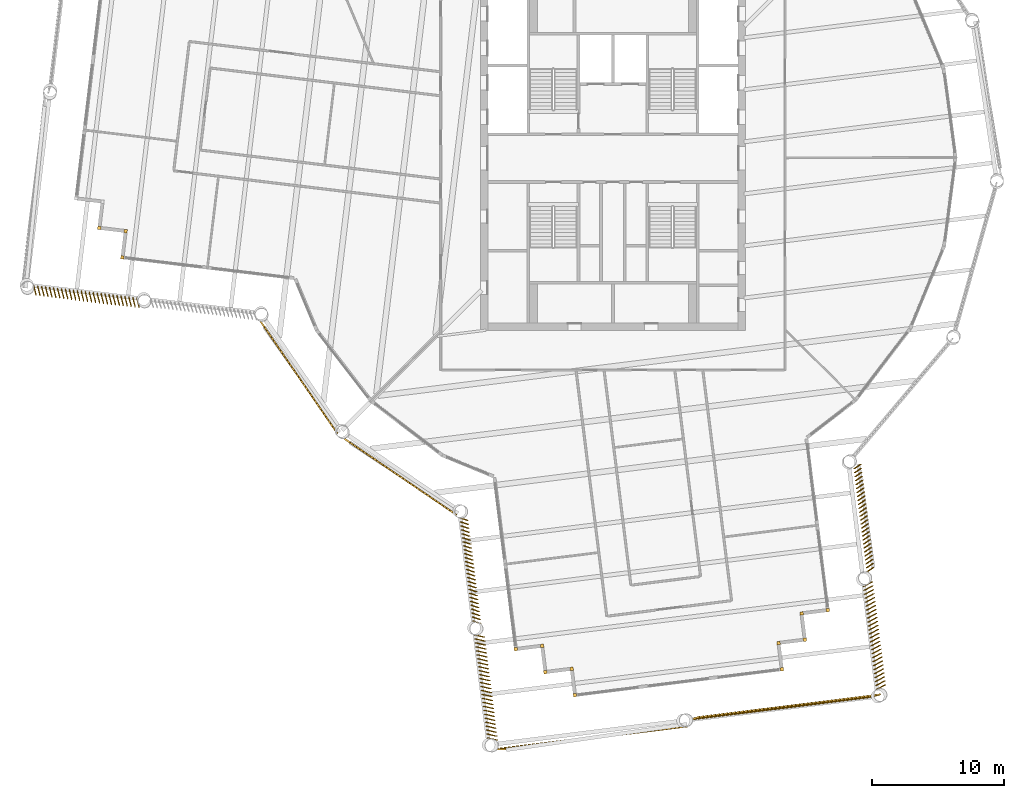
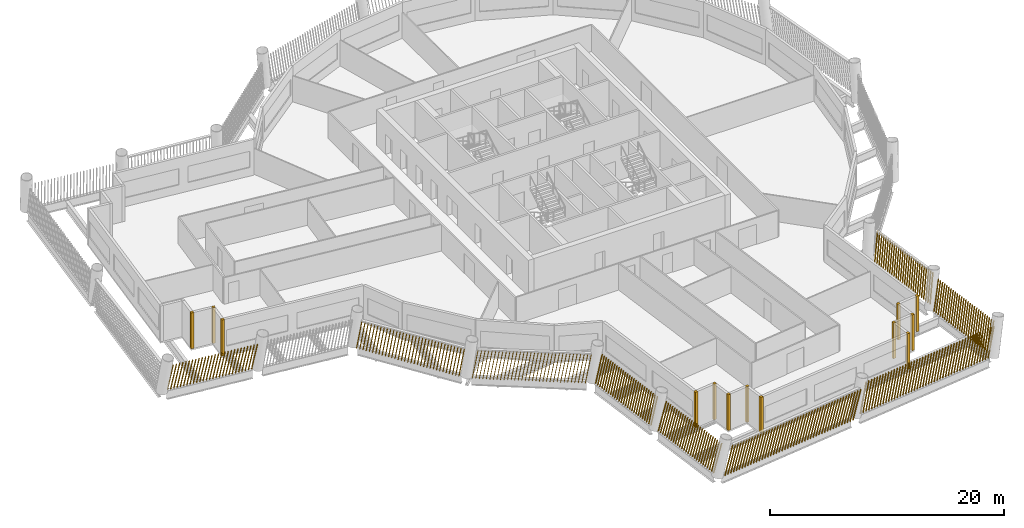
# One storey, part 10 of 14: 22 shading devices.
"""IFC4 building model written with IfcOpenShell, lengths in metres."""

from ifc_helpers import new_model, si_unit, direction, frame, frame_2d, origin, origin_2d, place, context, subcontext, project, spatial, rectangle, composite_profile, extrude, material, type_object, element, save


model = new_model("IFC4")

# Units and contexts
model_context = context("Model", 3, precision=1e-05, world=origin(), true_north=direction((0.0, 1.0)))
body_context = subcontext(model_context, "Body", "Model", "MODEL_VIEW")
ifc_project = project(units=[si_unit("LENGTHUNIT", "METRE"), si_unit("AREAUNIT", "SQUARE_METRE"), si_unit("VOLUMEUNIT", "CUBIC_METRE"), si_unit("PLANEANGLEUNIT", "RADIAN"), si_unit("MASSUNIT", "GRAM", prefix="KILO")], contexts=[model_context])

# Site, building, storey
site_placement = place(None, origin())
site = spatial("IfcSite", under=ifc_project, at=site_placement, CompositionType="ELEMENT")
building_placement = place(site_placement, origin())
building = spatial("IfcBuilding", under=site, at=building_placement, Name="Tarsis Ring Headquarters", CompositionType="ELEMENT")
storey_placement = place(building_placement, frame((0.0, 0.0, 259.10009765625)))
storey = spatial("IfcBuildingStorey", under=building, at=storey_placement, Name="L60", CompositionType="ELEMENT", Elevation=259.10009765625)

# Shading devices
ifc_material = material(Name="Terracotta baguette", Category="masonry")
shading_device_type_1 = type_object("IfcShadingDeviceType", Name="Terracotta baguette screen", PredefinedType="USERDEFINED", material=ifc_material)
shading_device_1_placement = place(storey_placement, frame((-20.29443359375, -21.174560546875, 0.0), z_axis=(0.0, 0.0, 1.0), x_axis=(0.827128722766, -0.562012792325, 0.0)))
element("IfcShadingDevice", 1, at=shading_device_1_placement, inside=storey, type_object=shading_device_type_1, Name="Baguette screen L60-00", ObjectType="Terracotta baguette screen", PredefinedType="USERDEFINED", context=body_context, shape_type="SweptSolid", body=[
    extrude(composite_profile([rectangle(XDim=0.06005859375, YDim=0.1201171875, at=frame_2d((0.030029296875, 0.0))), rectangle(XDim=0.06005859375, YDim=0.1201171875, at=frame_2d((0.33349609375, 0.0))), rectangle(XDim=0.06005859375, YDim=0.1201171875, at=frame_2d((0.636962890625, 0.0))), rectangle(XDim=0.06005859375, YDim=0.1201171875, at=frame_2d((0.9404296875, 0.0))), rectangle(XDim=0.06005859375, YDim=0.1201171875, at=frame_2d((1.243896484375, 0.0))), rectangle(XDim=0.06005859375, YDim=0.1201171875, at=frame_2d((1.54736328125, 0.0))), rectangle(XDim=0.06005859375, YDim=0.1201171875, at=frame_2d((1.850830078125, 0.0))), rectangle(XDim=0.06005859375, YDim=0.1201171875, at=frame_2d((2.154296875, 0.0))), rectangle(XDim=0.06005859375, YDim=0.1201171875, at=frame_2d((2.4580078125, 0.0))), rectangle(XDim=0.06005859375, YDim=0.1201171875, at=frame_2d((2.761474609375, 0.0))), rectangle(XDim=0.06005859375, YDim=0.1201171875, at=frame_2d((3.06494140625, 0.0))), rectangle(XDim=0.06005859375, YDim=0.1201171875, at=frame_2d((3.368408203125, 0.0))), rectangle(XDim=0.06005859375, YDim=0.1201171875, at=frame_2d((3.671875, 0.0))), rectangle(XDim=0.06005859375, YDim=0.1201171875, at=frame_2d((3.975341796875, 0.0))), rectangle(XDim=0.06005859375, YDim=0.1201171875, at=frame_2d((4.27880859375, 0.0))), rectangle(XDim=0.06005859375, YDim=0.1201171875, at=frame_2d((4.582275390625, 0.0))), rectangle(XDim=0.06005859375, YDim=0.1201171875, at=frame_2d((4.8857421875, 0.0))), rectangle(XDim=0.06005859375, YDim=0.1201171875, at=frame_2d((5.189208984375, 0.0))), rectangle(XDim=0.06005859375, YDim=0.1201171875, at=frame_2d((5.49267578125, 0.0))), rectangle(XDim=0.06005859375, YDim=0.1201171875, at=frame_2d((5.796142578125, 0.0))), rectangle(XDim=0.06005859375, YDim=0.1201171875, at=frame_2d((6.099609375, 0.0))), rectangle(XDim=0.06005859375, YDim=0.1201171875, at=frame_2d((6.403076171875, 0.0))), rectangle(XDim=0.06005859375, YDim=0.1201171875, at=frame_2d((6.70654296875, 0.0))), rectangle(XDim=0.06005859375, YDim=0.1201171875, at=frame_2d((7.010009765625, 0.0))), rectangle(XDim=0.06005859375, YDim=0.1201171875, at=frame_2d((7.3134765625, 0.0))), rectangle(XDim=0.06005859375, YDim=0.1201171875, at=frame_2d((7.6171875, 0.0))), rectangle(XDim=0.06005859375, YDim=0.1201171875, at=frame_2d((7.920654296875, 0.0))), rectangle(XDim=0.06005859375, YDim=0.1201171875, at=frame_2d((8.22412109375, 0.0))), rectangle(XDim=0.06005859375, YDim=0.1201171875, at=frame_2d((8.527587890625, 0.0))), rectangle(XDim=0.06005859375, YDim=0.1201171875, at=frame_2d((8.8310546875, 0.0))), rectangle(XDim=0.06005859375, YDim=0.1201171875, at=frame_2d((9.134521484375, 0.0))), rectangle(XDim=0.06005859375, YDim=0.1201171875, at=frame_2d((9.43798828125, 0.0))), rectangle(XDim=0.06005859375, YDim=0.1201171875, at=frame_2d((9.741455078125, 0.0)))]), origin(), (0.167659775251, 0.001463327702, 0.985843830652), 3.010498046875),
])
shading_device_2_placement = place(storey_placement, frame((-11.52587890625, -27.13330078125, 0.0), z_axis=(0.0, 0.0, 1.0), x_axis=(0.123949579832, -0.992276322294, 0.0)))
element("IfcShadingDevice", 2, at=shading_device_2_placement, inside=storey, type_object=shading_device_type_1, Name="Baguette screen L60-01", ObjectType="Terracotta baguette screen", PredefinedType="USERDEFINED", context=body_context, shape_type="SweptSolid", body=[
    extrude(composite_profile([rectangle(XDim=0.06005859375, YDim=0.1201171875, at=frame_2d((0.030029296875, 0.0))), rectangle(XDim=0.06005859375, YDim=0.1201171875, at=frame_2d((0.33154296875, 0.0))), rectangle(XDim=0.06005859375, YDim=0.1201171875, at=frame_2d((0.63330078125, 0.0))), rectangle(XDim=0.06005859375, YDim=0.1201171875, at=frame_2d((0.934814453125, 0.0))), rectangle(XDim=0.06005859375, YDim=0.1201171875, at=frame_2d((1.236572265625, 0.0))), rectangle(XDim=0.06005859375, YDim=0.1201171875, at=frame_2d((1.5380859375, 0.0))), rectangle(XDim=0.06005859375, YDim=0.1201171875, at=frame_2d((1.83984375, 0.0))), rectangle(XDim=0.06005859375, YDim=0.1201171875, at=frame_2d((2.141357421875, 0.0))), rectangle(XDim=0.06005859375, YDim=0.1201171875, at=frame_2d((2.443115234375, 0.0))), rectangle(XDim=0.06005859375, YDim=0.1201171875, at=frame_2d((2.74462890625, 0.0))), rectangle(XDim=0.06005859375, YDim=0.1201171875, at=frame_2d((3.04638671875, 0.0))), rectangle(XDim=0.06005859375, YDim=0.1201171875, at=frame_2d((3.347900390625, 0.0))), rectangle(XDim=0.06005859375, YDim=0.1201171875, at=frame_2d((3.649658203125, 0.0))), rectangle(XDim=0.06005859375, YDim=0.1201171875, at=frame_2d((3.951171875, 0.0))), rectangle(XDim=0.06005859375, YDim=0.1201171875, at=frame_2d((4.252685546875, 0.0))), rectangle(XDim=0.06005859375, YDim=0.1201171875, at=frame_2d((4.554443359375, 0.0))), rectangle(XDim=0.06005859375, YDim=0.1201171875, at=frame_2d((4.85595703125, 0.0))), rectangle(XDim=0.06005859375, YDim=0.1201171875, at=frame_2d((5.15771484375, 0.0))), rectangle(XDim=0.06005859375, YDim=0.1201171875, at=frame_2d((5.459228515625, 0.0))), rectangle(XDim=0.06005859375, YDim=0.1201171875, at=frame_2d((5.760986328125, 0.0))), rectangle(XDim=0.06005859375, YDim=0.1201171875, at=frame_2d((6.0625, 0.0))), rectangle(XDim=0.06005859375, YDim=0.1201171875, at=frame_2d((6.3642578125, 0.0))), rectangle(XDim=0.06005859375, YDim=0.1201171875, at=frame_2d((6.665771484375, 0.0))), rectangle(XDim=0.06005859375, YDim=0.1201171875, at=frame_2d((6.967529296875, 0.0))), rectangle(XDim=0.06005859375, YDim=0.1201171875, at=frame_2d((7.26904296875, 0.0))), rectangle(XDim=0.06005859375, YDim=0.1201171875, at=frame_2d((7.57080078125, 0.0))), rectangle(XDim=0.06005859375, YDim=0.1201171875, at=frame_2d((7.872314453125, 0.0)))]), origin(), (0.083959299273, 0.170745030527, 0.981731618425), 3.02294921875),
])
shading_device_3_placement = place(storey_placement, frame((-10.42236328125, -35.967041015625, 0.0), z_axis=(0.0, 0.0, 1.0), x_axis=(0.123949579832, -0.992276322294, 0.0)))
element("IfcShadingDevice", 3, at=shading_device_3_placement, inside=storey, type_object=shading_device_type_1, Name="Baguette screen L60-02", ObjectType="Terracotta baguette screen", PredefinedType="USERDEFINED", context=body_context, shape_type="SweptSolid", body=[
    extrude(composite_profile([rectangle(XDim=0.06005859375, YDim=0.1201171875, at=frame_2d((0.030029296875, 0.0))), rectangle(XDim=0.06005859375, YDim=0.1201171875, at=frame_2d((0.33154296875, 0.0))), rectangle(XDim=0.06005859375, YDim=0.1201171875, at=frame_2d((0.63330078125, 0.0))), rectangle(XDim=0.06005859375, YDim=0.1201171875, at=frame_2d((0.934814453125, 0.0))), rectangle(XDim=0.06005859375, YDim=0.1201171875, at=frame_2d((1.236572265625, 0.0))), rectangle(XDim=0.06005859375, YDim=0.1201171875, at=frame_2d((1.5380859375, 0.0))), rectangle(XDim=0.06005859375, YDim=0.1201171875, at=frame_2d((1.83984375, 0.0))), rectangle(XDim=0.06005859375, YDim=0.1201171875, at=frame_2d((2.141357421875, 0.0))), rectangle(XDim=0.06005859375, YDim=0.1201171875, at=frame_2d((2.443115234375, 0.0))), rectangle(XDim=0.06005859375, YDim=0.1201171875, at=frame_2d((2.74462890625, 0.0))), rectangle(XDim=0.06005859375, YDim=0.1201171875, at=frame_2d((3.04638671875, 0.0))), rectangle(XDim=0.06005859375, YDim=0.1201171875, at=frame_2d((3.347900390625, 0.0))), rectangle(XDim=0.06005859375, YDim=0.1201171875, at=frame_2d((3.649658203125, 0.0))), rectangle(XDim=0.06005859375, YDim=0.1201171875, at=frame_2d((3.951171875, 0.0))), rectangle(XDim=0.06005859375, YDim=0.1201171875, at=frame_2d((4.252685546875, 0.0))), rectangle(XDim=0.06005859375, YDim=0.1201171875, at=frame_2d((4.554443359375, 0.0))), rectangle(XDim=0.06005859375, YDim=0.1201171875, at=frame_2d((4.85595703125, 0.0))), rectangle(XDim=0.06005859375, YDim=0.1201171875, at=frame_2d((5.15771484375, 0.0))), rectangle(XDim=0.06005859375, YDim=0.1201171875, at=frame_2d((5.459228515625, 0.0))), rectangle(XDim=0.06005859375, YDim=0.1201171875, at=frame_2d((5.760986328125, 0.0))), rectangle(XDim=0.06005859375, YDim=0.1201171875, at=frame_2d((6.0625, 0.0))), rectangle(XDim=0.06005859375, YDim=0.1201171875, at=frame_2d((6.3642578125, 0.0))), rectangle(XDim=0.06005859375, YDim=0.1201171875, at=frame_2d((6.665771484375, 0.0))), rectangle(XDim=0.06005859375, YDim=0.1201171875, at=frame_2d((6.967529296875, 0.0))), rectangle(XDim=0.06005859375, YDim=0.1201171875, at=frame_2d((7.26904296875, 0.0))), rectangle(XDim=0.06005859375, YDim=0.1201171875, at=frame_2d((7.57080078125, 0.0))), rectangle(XDim=0.06005859375, YDim=0.1201171875, at=frame_2d((7.872314453125, 0.0)))]), origin(), (0.082683302706, 0.219937606795, 0.972003559958), 3.05322265625),
])
shading_device_4_placement = place(storey_placement, frame((-8.83837890625, -44.614501953125, 0.0), z_axis=(0.0, 0.0, 1.0), x_axis=(0.99228659885, 0.12394515701, 0.0)))
element("IfcShadingDevice", 4, at=shading_device_4_placement, inside=storey, type_object=shading_device_type_1, Name="Baguette screen L60-03", ObjectType="Terracotta baguette screen", PredefinedType="USERDEFINED", context=body_context, shape_type="SweptSolid", body=[
    extrude(composite_profile([rectangle(XDim=0.06005859375, YDim=0.1201171875, at=frame_2d((0.030029296875, 0.0))), rectangle(XDim=0.06005859375, YDim=0.1201171875, at=frame_2d((0.33544921875, 0.0))), rectangle(XDim=0.06005859375, YDim=0.1201171875, at=frame_2d((0.640625, 0.0))), rectangle(XDim=0.06005859375, YDim=0.1201171875, at=frame_2d((0.946044921875, 0.0))), rectangle(XDim=0.06005859375, YDim=0.1201171875, at=frame_2d((1.25146484375, 0.0))), rectangle(XDim=0.06005859375, YDim=0.1201171875, at=frame_2d((1.556640625, 0.0))), rectangle(XDim=0.06005859375, YDim=0.1201171875, at=frame_2d((1.862060546875, 0.0))), rectangle(XDim=0.06005859375, YDim=0.1201171875, at=frame_2d((2.16748046875, 0.0))), rectangle(XDim=0.06005859375, YDim=0.1201171875, at=frame_2d((2.47265625, 0.0))), rectangle(XDim=0.06005859375, YDim=0.1201171875, at=frame_2d((2.778076171875, 0.0))), rectangle(XDim=0.06005859375, YDim=0.1201171875, at=frame_2d((3.08349609375, 0.0))), rectangle(XDim=0.06005859375, YDim=0.1201171875, at=frame_2d((3.388671875, 0.0))), rectangle(XDim=0.06005859375, YDim=0.1201171875, at=frame_2d((3.694091796875, 0.0))), rectangle(XDim=0.06005859375, YDim=0.1201171875, at=frame_2d((3.99951171875, 0.0))), rectangle(XDim=0.06005859375, YDim=0.1201171875, at=frame_2d((4.3046875, 0.0))), rectangle(XDim=0.06005859375, YDim=0.1201171875, at=frame_2d((4.610107421875, 0.0))), rectangle(XDim=0.06005859375, YDim=0.1201171875, at=frame_2d((4.91552734375, 0.0))), rectangle(XDim=0.06005859375, YDim=0.1201171875, at=frame_2d((5.220703125, 0.0))), rectangle(XDim=0.06005859375, YDim=0.1201171875, at=frame_2d((5.526123046875, 0.0))), rectangle(XDim=0.06005859375, YDim=0.1201171875, at=frame_2d((5.83154296875, 0.0))), rectangle(XDim=0.06005859375, YDim=0.1201171875, at=frame_2d((6.13671875, 0.0))), rectangle(XDim=0.06005859375, YDim=0.1201171875, at=frame_2d((6.442138671875, 0.0))), rectangle(XDim=0.06005859375, YDim=0.1201171875, at=frame_2d((6.74755859375, 0.0))), rectangle(XDim=0.06005859375, YDim=0.1201171875, at=frame_2d((7.052734375, 0.0))), rectangle(XDim=0.06005859375, YDim=0.1201171875, at=frame_2d((7.358154296875, 0.0))), rectangle(XDim=0.06005859375, YDim=0.1201171875, at=frame_2d((7.66357421875, 0.0))), rectangle(XDim=0.06005859375, YDim=0.1201171875, at=frame_2d((7.96875, 0.0))), rectangle(XDim=0.06005859375, YDim=0.1201171875, at=frame_2d((8.274169921875, 0.0))), rectangle(XDim=0.06005859375, YDim=0.1201171875, at=frame_2d((8.57958984375, 0.0))), rectangle(XDim=0.06005859375, YDim=0.1201171875, at=frame_2d((8.884765625, 0.0))), rectangle(XDim=0.06005859375, YDim=0.1201171875, at=frame_2d((9.190185546875, 0.0))), rectangle(XDim=0.06005859375, YDim=0.1201171875, at=frame_2d((9.49560546875, 0.0))), rectangle(XDim=0.06005859375, YDim=0.1201171875, at=frame_2d((9.80078125, 0.0))), rectangle(XDim=0.06005859375, YDim=0.1201171875, at=frame_2d((10.106201171875, 0.0))), rectangle(XDim=0.06005859375, YDim=0.1201171875, at=frame_2d((10.41162109375, 0.0))), rectangle(XDim=0.06005859375, YDim=0.1201171875, at=frame_2d((10.716796875, 0.0))), rectangle(XDim=0.06005859375, YDim=0.1201171875, at=frame_2d((11.022216796875, 0.0))), rectangle(XDim=0.06005859375, YDim=0.1201171875, at=frame_2d((11.32763671875, 0.0))), rectangle(XDim=0.06005859375, YDim=0.1201171875, at=frame_2d((11.6328125, 0.0))), rectangle(XDim=0.06005859375, YDim=0.1201171875, at=frame_2d((11.938232421875, 0.0))), rectangle(XDim=0.06005859375, YDim=0.1201171875, at=frame_2d((12.24365234375, 0.0))), rectangle(XDim=0.06005859375, YDim=0.1201171875, at=frame_2d((12.548828125, 0.0))), rectangle(XDim=0.06005859375, YDim=0.1201171875, at=frame_2d((12.854248046875, 0.0))), rectangle(XDim=0.06005859375, YDim=0.1201171875, at=frame_2d((13.15966796875, 0.0))), rectangle(XDim=0.06005859375, YDim=0.1201171875, at=frame_2d((13.46484375, 0.0))), rectangle(XDim=0.06005859375, YDim=0.1201171875, at=frame_2d((13.770263671875, 0.0)))]), origin(), (0.246236683878, -0.039994711571, 0.968384179218), 3.064697265625),
])
shading_device_5_placement = place(storey_placement, frame((5.801025390625, -42.407958984375, 0.0), z_axis=(0.0, 0.0, 1.0), x_axis=(0.99228659885, 0.12394515701, 0.0)))
element("IfcShadingDevice", 5, at=shading_device_5_placement, inside=storey, type_object=shading_device_type_1, Name="Baguette screen L60-04", ObjectType="Terracotta baguette screen", PredefinedType="USERDEFINED", context=body_context, shape_type="SweptSolid", body=[
    extrude(composite_profile([rectangle(XDim=0.06005859375, YDim=0.1201171875, at=frame_2d((0.030029296875, 0.0))), rectangle(XDim=0.06005859375, YDim=0.1201171875, at=frame_2d((0.33544921875, 0.0))), rectangle(XDim=0.06005859375, YDim=0.1201171875, at=frame_2d((0.640625, 0.0))), rectangle(XDim=0.06005859375, YDim=0.1201171875, at=frame_2d((0.946044921875, 0.0))), rectangle(XDim=0.06005859375, YDim=0.1201171875, at=frame_2d((1.25146484375, 0.0))), rectangle(XDim=0.06005859375, YDim=0.1201171875, at=frame_2d((1.556640625, 0.0))), rectangle(XDim=0.06005859375, YDim=0.1201171875, at=frame_2d((1.862060546875, 0.0))), rectangle(XDim=0.06005859375, YDim=0.1201171875, at=frame_2d((2.16748046875, 0.0))), rectangle(XDim=0.06005859375, YDim=0.1201171875, at=frame_2d((2.47265625, 0.0))), rectangle(XDim=0.06005859375, YDim=0.1201171875, at=frame_2d((2.778076171875, 0.0))), rectangle(XDim=0.06005859375, YDim=0.1201171875, at=frame_2d((3.08349609375, 0.0))), rectangle(XDim=0.06005859375, YDim=0.1201171875, at=frame_2d((3.388671875, 0.0))), rectangle(XDim=0.06005859375, YDim=0.1201171875, at=frame_2d((3.694091796875, 0.0))), rectangle(XDim=0.06005859375, YDim=0.1201171875, at=frame_2d((3.99951171875, 0.0))), rectangle(XDim=0.06005859375, YDim=0.1201171875, at=frame_2d((4.3046875, 0.0))), rectangle(XDim=0.06005859375, YDim=0.1201171875, at=frame_2d((4.610107421875, 0.0))), rectangle(XDim=0.06005859375, YDim=0.1201171875, at=frame_2d((4.91552734375, 0.0))), rectangle(XDim=0.06005859375, YDim=0.1201171875, at=frame_2d((5.220703125, 0.0))), rectangle(XDim=0.06005859375, YDim=0.1201171875, at=frame_2d((5.526123046875, 0.0))), rectangle(XDim=0.06005859375, YDim=0.1201171875, at=frame_2d((5.83154296875, 0.0))), rectangle(XDim=0.06005859375, YDim=0.1201171875, at=frame_2d((6.13671875, 0.0))), rectangle(XDim=0.06005859375, YDim=0.1201171875, at=frame_2d((6.442138671875, 0.0))), rectangle(XDim=0.06005859375, YDim=0.1201171875, at=frame_2d((6.74755859375, 0.0))), rectangle(XDim=0.06005859375, YDim=0.1201171875, at=frame_2d((7.052734375, 0.0))), rectangle(XDim=0.06005859375, YDim=0.1201171875, at=frame_2d((7.358154296875, 0.0))), rectangle(XDim=0.06005859375, YDim=0.1201171875, at=frame_2d((7.66357421875, 0.0))), rectangle(XDim=0.06005859375, YDim=0.1201171875, at=frame_2d((7.96875, 0.0))), rectangle(XDim=0.06005859375, YDim=0.1201171875, at=frame_2d((8.274169921875, 0.0))), rectangle(XDim=0.06005859375, YDim=0.1201171875, at=frame_2d((8.57958984375, 0.0))), rectangle(XDim=0.06005859375, YDim=0.1201171875, at=frame_2d((8.884765625, 0.0))), rectangle(XDim=0.06005859375, YDim=0.1201171875, at=frame_2d((9.190185546875, 0.0))), rectangle(XDim=0.06005859375, YDim=0.1201171875, at=frame_2d((9.49560546875, 0.0))), rectangle(XDim=0.06005859375, YDim=0.1201171875, at=frame_2d((9.80078125, 0.0))), rectangle(XDim=0.06005859375, YDim=0.1201171875, at=frame_2d((10.106201171875, 0.0))), rectangle(XDim=0.06005859375, YDim=0.1201171875, at=frame_2d((10.41162109375, 0.0))), rectangle(XDim=0.06005859375, YDim=0.1201171875, at=frame_2d((10.716796875, 0.0))), rectangle(XDim=0.06005859375, YDim=0.1201171875, at=frame_2d((11.022216796875, 0.0))), rectangle(XDim=0.06005859375, YDim=0.1201171875, at=frame_2d((11.32763671875, 0.0))), rectangle(XDim=0.06005859375, YDim=0.1201171875, at=frame_2d((11.6328125, 0.0))), rectangle(XDim=0.06005859375, YDim=0.1201171875, at=frame_2d((11.938232421875, 0.0))), rectangle(XDim=0.06005859375, YDim=0.1201171875, at=frame_2d((12.24365234375, 0.0))), rectangle(XDim=0.06005859375, YDim=0.1201171875, at=frame_2d((12.548828125, 0.0))), rectangle(XDim=0.06005859375, YDim=0.1201171875, at=frame_2d((12.854248046875, 0.0))), rectangle(XDim=0.06005859375, YDim=0.1201171875, at=frame_2d((13.15966796875, 0.0))), rectangle(XDim=0.06005859375, YDim=0.1201171875, at=frame_2d((13.46484375, 0.0))), rectangle(XDim=0.06005859375, YDim=0.1201171875, at=frame_2d((13.770263671875, 0.0)))]), origin(), (0.243492812114, 0.044291573967, 0.9688908643), 3.06298828125),
])
shading_device_6_placement = place(storey_placement, frame((19.928955078125, -40.139404296875, 0.0), z_axis=(0.0, 0.0, 1.0), x_axis=(-0.123949579832, 0.992276322294, 0.0)))
element("IfcShadingDevice", 6, at=shading_device_6_placement, inside=storey, type_object=shading_device_type_1, Name="Baguette screen L60-05", ObjectType="Terracotta baguette screen", PredefinedType="USERDEFINED", context=body_context, shape_type="SweptSolid", body=[
    extrude(composite_profile([rectangle(XDim=0.06005859375, YDim=0.1201171875, at=frame_2d((0.030029296875, 0.0))), rectangle(XDim=0.06005859375, YDim=0.1201171875, at=frame_2d((0.33154296875, 0.0))), rectangle(XDim=0.06005859375, YDim=0.1201171875, at=frame_2d((0.63330078125, 0.0))), rectangle(XDim=0.06005859375, YDim=0.1201171875, at=frame_2d((0.934814453125, 0.0))), rectangle(XDim=0.06005859375, YDim=0.1201171875, at=frame_2d((1.236572265625, 0.0))), rectangle(XDim=0.06005859375, YDim=0.1201171875, at=frame_2d((1.5380859375, 0.0))), rectangle(XDim=0.06005859375, YDim=0.1201171875, at=frame_2d((1.83984375, 0.0))), rectangle(XDim=0.06005859375, YDim=0.1201171875, at=frame_2d((2.141357421875, 0.0))), rectangle(XDim=0.06005859375, YDim=0.1201171875, at=frame_2d((2.443115234375, 0.0))), rectangle(XDim=0.06005859375, YDim=0.1201171875, at=frame_2d((2.74462890625, 0.0))), rectangle(XDim=0.06005859375, YDim=0.1201171875, at=frame_2d((3.04638671875, 0.0))), rectangle(XDim=0.06005859375, YDim=0.1201171875, at=frame_2d((3.347900390625, 0.0))), rectangle(XDim=0.06005859375, YDim=0.1201171875, at=frame_2d((3.649658203125, 0.0))), rectangle(XDim=0.06005859375, YDim=0.1201171875, at=frame_2d((3.951171875, 0.0))), rectangle(XDim=0.06005859375, YDim=0.1201171875, at=frame_2d((4.252685546875, 0.0))), rectangle(XDim=0.06005859375, YDim=0.1201171875, at=frame_2d((4.554443359375, 0.0))), rectangle(XDim=0.06005859375, YDim=0.1201171875, at=frame_2d((4.85595703125, 0.0))), rectangle(XDim=0.06005859375, YDim=0.1201171875, at=frame_2d((5.15771484375, 0.0))), rectangle(XDim=0.06005859375, YDim=0.1201171875, at=frame_2d((5.459228515625, 0.0))), rectangle(XDim=0.06005859375, YDim=0.1201171875, at=frame_2d((5.760986328125, 0.0))), rectangle(XDim=0.06005859375, YDim=0.1201171875, at=frame_2d((6.0625, 0.0))), rectangle(XDim=0.06005859375, YDim=0.1201171875, at=frame_2d((6.3642578125, 0.0))), rectangle(XDim=0.06005859375, YDim=0.1201171875, at=frame_2d((6.665771484375, 0.0))), rectangle(XDim=0.06005859375, YDim=0.1201171875, at=frame_2d((6.967529296875, 0.0))), rectangle(XDim=0.06005859375, YDim=0.1201171875, at=frame_2d((7.26904296875, 0.0))), rectangle(XDim=0.06005859375, YDim=0.1201171875, at=frame_2d((7.57080078125, 0.0))), rectangle(XDim=0.06005859375, YDim=0.1201171875, at=frame_2d((7.872314453125, 0.0)))]), origin(), (0.086508059008, -0.21846155258, 0.972003552345), 3.05322265625),
])
shading_device_7_placement = place(storey_placement, frame((19.197509765625, -31.25927734375, 0.0), z_axis=(0.0, 0.0, 1.0), x_axis=(-0.123949579832, 0.992276322294, 0.0)))
element("IfcShadingDevice", 7, at=shading_device_7_placement, inside=storey, type_object=shading_device_type_1, Name="Baguette screen L60-06", ObjectType="Terracotta baguette screen", PredefinedType="USERDEFINED", context=body_context, shape_type="SweptSolid", body=[
    extrude(composite_profile([rectangle(XDim=0.06005859375, YDim=0.1201171875, at=frame_2d((0.030029296875, 0.0))), rectangle(XDim=0.06005859375, YDim=0.1201171875, at=frame_2d((0.33154296875, 0.0))), rectangle(XDim=0.06005859375, YDim=0.1201171875, at=frame_2d((0.63330078125, 0.0))), rectangle(XDim=0.06005859375, YDim=0.1201171875, at=frame_2d((0.934814453125, 0.0))), rectangle(XDim=0.06005859375, YDim=0.1201171875, at=frame_2d((1.236572265625, 0.0))), rectangle(XDim=0.06005859375, YDim=0.1201171875, at=frame_2d((1.5380859375, 0.0))), rectangle(XDim=0.06005859375, YDim=0.1201171875, at=frame_2d((1.83984375, 0.0))), rectangle(XDim=0.06005859375, YDim=0.1201171875, at=frame_2d((2.141357421875, 0.0))), rectangle(XDim=0.06005859375, YDim=0.1201171875, at=frame_2d((2.443115234375, 0.0))), rectangle(XDim=0.06005859375, YDim=0.1201171875, at=frame_2d((2.74462890625, 0.0))), rectangle(XDim=0.06005859375, YDim=0.1201171875, at=frame_2d((3.04638671875, 0.0))), rectangle(XDim=0.06005859375, YDim=0.1201171875, at=frame_2d((3.347900390625, 0.0))), rectangle(XDim=0.06005859375, YDim=0.1201171875, at=frame_2d((3.649658203125, 0.0))), rectangle(XDim=0.06005859375, YDim=0.1201171875, at=frame_2d((3.951171875, 0.0))), rectangle(XDim=0.06005859375, YDim=0.1201171875, at=frame_2d((4.252685546875, 0.0))), rectangle(XDim=0.06005859375, YDim=0.1201171875, at=frame_2d((4.554443359375, 0.0))), rectangle(XDim=0.06005859375, YDim=0.1201171875, at=frame_2d((4.85595703125, 0.0))), rectangle(XDim=0.06005859375, YDim=0.1201171875, at=frame_2d((5.15771484375, 0.0))), rectangle(XDim=0.06005859375, YDim=0.1201171875, at=frame_2d((5.459228515625, 0.0))), rectangle(XDim=0.06005859375, YDim=0.1201171875, at=frame_2d((5.760986328125, 0.0))), rectangle(XDim=0.06005859375, YDim=0.1201171875, at=frame_2d((6.0625, 0.0))), rectangle(XDim=0.06005859375, YDim=0.1201171875, at=frame_2d((6.3642578125, 0.0))), rectangle(XDim=0.06005859375, YDim=0.1201171875, at=frame_2d((6.665771484375, 0.0))), rectangle(XDim=0.06005859375, YDim=0.1201171875, at=frame_2d((6.967529296875, 0.0))), rectangle(XDim=0.06005859375, YDim=0.1201171875, at=frame_2d((7.26904296875, 0.0))), rectangle(XDim=0.06005859375, YDim=0.1201171875, at=frame_2d((7.57080078125, 0.0))), rectangle(XDim=0.06005859375, YDim=0.1201171875, at=frame_2d((7.872314453125, 0.0)))]), origin(), (0.089073588505, -0.169203581223, 0.98154777975), 3.023681640625),
])
shading_device_8_placement = place(storey_placement, frame((-43.768310546875, -9.626220703125, 0.0), z_axis=(0.0, 0.0, 1.0), x_axis=(0.992801532378, -0.119809688581, 0.0)))
element("IfcShadingDevice", 8, at=shading_device_8_placement, inside=storey, type_object=shading_device_type_1, Name="Baguette screen L60-19", ObjectType="Terracotta baguette screen", PredefinedType="USERDEFINED", context=body_context, shape_type="SweptSolid", body=[
    extrude(composite_profile([rectangle(XDim=0.06005859375, YDim=0.1201171875, at=frame_2d((0.030029296875, 0.0))), rectangle(XDim=0.06005859375, YDim=0.1201171875, at=frame_2d((0.33154296875, 0.0))), rectangle(XDim=0.06005859375, YDim=0.1201171875, at=frame_2d((0.63330078125, 0.0))), rectangle(XDim=0.06005859375, YDim=0.1201171875, at=frame_2d((0.934814453125, 0.0))), rectangle(XDim=0.06005859375, YDim=0.1201171875, at=frame_2d((1.236572265625, 0.0))), rectangle(XDim=0.06005859375, YDim=0.1201171875, at=frame_2d((1.5380859375, 0.0))), rectangle(XDim=0.06005859375, YDim=0.1201171875, at=frame_2d((1.83984375, 0.0))), rectangle(XDim=0.06005859375, YDim=0.1201171875, at=frame_2d((2.141357421875, 0.0))), rectangle(XDim=0.06005859375, YDim=0.1201171875, at=frame_2d((2.443115234375, 0.0))), rectangle(XDim=0.06005859375, YDim=0.1201171875, at=frame_2d((2.74462890625, 0.0))), rectangle(XDim=0.06005859375, YDim=0.1201171875, at=frame_2d((3.04638671875, 0.0))), rectangle(XDim=0.06005859375, YDim=0.1201171875, at=frame_2d((3.347900390625, 0.0))), rectangle(XDim=0.06005859375, YDim=0.1201171875, at=frame_2d((3.649658203125, 0.0))), rectangle(XDim=0.06005859375, YDim=0.1201171875, at=frame_2d((3.951171875, 0.0))), rectangle(XDim=0.06005859375, YDim=0.1201171875, at=frame_2d((4.252685546875, 0.0))), rectangle(XDim=0.06005859375, YDim=0.1201171875, at=frame_2d((4.554443359375, 0.0))), rectangle(XDim=0.06005859375, YDim=0.1201171875, at=frame_2d((4.85595703125, 0.0))), rectangle(XDim=0.06005859375, YDim=0.1201171875, at=frame_2d((5.15771484375, 0.0))), rectangle(XDim=0.06005859375, YDim=0.1201171875, at=frame_2d((5.459228515625, 0.0))), rectangle(XDim=0.06005859375, YDim=0.1201171875, at=frame_2d((5.760986328125, 0.0))), rectangle(XDim=0.06005859375, YDim=0.1201171875, at=frame_2d((6.0625, 0.0))), rectangle(XDim=0.06005859375, YDim=0.1201171875, at=frame_2d((6.3642578125, 0.0))), rectangle(XDim=0.06005859375, YDim=0.1201171875, at=frame_2d((6.665771484375, 0.0))), rectangle(XDim=0.06005859375, YDim=0.1201171875, at=frame_2d((6.967529296875, 0.0))), rectangle(XDim=0.06005859375, YDim=0.1201171875, at=frame_2d((7.26904296875, 0.0))), rectangle(XDim=0.06005859375, YDim=0.1201171875, at=frame_2d((7.57080078125, 0.0))), rectangle(XDim=0.06005859375, YDim=0.1201171875, at=frame_2d((7.872314453125, 0.0)))]), origin(), (0.08651422458, -0.218463205893, 0.972002632001), 3.05322265625),
])
shading_device_9_placement = place(storey_placement, frame((-26.614990234375, -12.32373046875, 0.0), z_axis=(0.0, 0.0, 1.0), x_axis=(0.565471580262, -0.824759525297, 0.0)))
element("IfcShadingDevice", 9, at=shading_device_9_placement, inside=storey, type_object=shading_device_type_1, Name="Baguette screen L60-21", ObjectType="Terracotta baguette screen", PredefinedType="USERDEFINED", context=body_context, shape_type="SweptSolid", body=[
    extrude(composite_profile([rectangle(XDim=0.06005859375, YDim=0.1201171875, at=frame_2d((0.030029296875, 0.0))), rectangle(XDim=0.06005859375, YDim=0.1201171875, at=frame_2d((0.33349609375, 0.0))), rectangle(XDim=0.06005859375, YDim=0.1201171875, at=frame_2d((0.636962890625, 0.0))), rectangle(XDim=0.06005859375, YDim=0.1201171875, at=frame_2d((0.9404296875, 0.0))), rectangle(XDim=0.06005859375, YDim=0.1201171875, at=frame_2d((1.243896484375, 0.0))), rectangle(XDim=0.06005859375, YDim=0.1201171875, at=frame_2d((1.54736328125, 0.0))), rectangle(XDim=0.06005859375, YDim=0.1201171875, at=frame_2d((1.85107421875, 0.0))), rectangle(XDim=0.06005859375, YDim=0.1201171875, at=frame_2d((2.154541015625, 0.0))), rectangle(XDim=0.06005859375, YDim=0.1201171875, at=frame_2d((2.4580078125, 0.0))), rectangle(XDim=0.06005859375, YDim=0.1201171875, at=frame_2d((2.761474609375, 0.0))), rectangle(XDim=0.06005859375, YDim=0.1201171875, at=frame_2d((3.06494140625, 0.0))), rectangle(XDim=0.06005859375, YDim=0.1201171875, at=frame_2d((3.368408203125, 0.0))), rectangle(XDim=0.06005859375, YDim=0.1201171875, at=frame_2d((3.671875, 0.0))), rectangle(XDim=0.06005859375, YDim=0.1201171875, at=frame_2d((3.975341796875, 0.0))), rectangle(XDim=0.06005859375, YDim=0.1201171875, at=frame_2d((4.27880859375, 0.0))), rectangle(XDim=0.06005859375, YDim=0.1201171875, at=frame_2d((4.582275390625, 0.0))), rectangle(XDim=0.06005859375, YDim=0.1201171875, at=frame_2d((4.8857421875, 0.0))), rectangle(XDim=0.06005859375, YDim=0.1201171875, at=frame_2d((5.189453125, 0.0))), rectangle(XDim=0.06005859375, YDim=0.1201171875, at=frame_2d((5.492919921875, 0.0))), rectangle(XDim=0.06005859375, YDim=0.1201171875, at=frame_2d((5.79638671875, 0.0))), rectangle(XDim=0.06005859375, YDim=0.1201171875, at=frame_2d((6.099853515625, 0.0))), rectangle(XDim=0.06005859375, YDim=0.1201171875, at=frame_2d((6.4033203125, 0.0))), rectangle(XDim=0.06005859375, YDim=0.1201171875, at=frame_2d((6.706787109375, 0.0))), rectangle(XDim=0.06005859375, YDim=0.1201171875, at=frame_2d((7.01025390625, 0.0))), rectangle(XDim=0.06005859375, YDim=0.1201171875, at=frame_2d((7.313720703125, 0.0))), rectangle(XDim=0.06005859375, YDim=0.1201171875, at=frame_2d((7.6171875, 0.0))), rectangle(XDim=0.06005859375, YDim=0.1201171875, at=frame_2d((7.920654296875, 0.0))), rectangle(XDim=0.06005859375, YDim=0.1201171875, at=frame_2d((8.224365234375, 0.0))), rectangle(XDim=0.06005859375, YDim=0.1201171875, at=frame_2d((8.52783203125, 0.0))), rectangle(XDim=0.06005859375, YDim=0.1201171875, at=frame_2d((8.831298828125, 0.0))), rectangle(XDim=0.06005859375, YDim=0.1201171875, at=frame_2d((9.134765625, 0.0))), rectangle(XDim=0.06005859375, YDim=0.1201171875, at=frame_2d((9.438232421875, 0.0))), rectangle(XDim=0.06005859375, YDim=0.1201171875, at=frame_2d((9.74169921875, 0.0)))]), origin(), (0.167658612866, 0.001462288016, 0.985844029878), 3.010498046875),
])
shading_device_type_2 = type_object("IfcShadingDeviceType", Name="Terracotta corner baguette 250x250", PredefinedType="USERDEFINED", material=ifc_material)
for number, where, z_axis, x_axis, name in (
    (10, (-37.0390625, -7.491943359375, 0.0), (0.0, 0.0, 1.0), (-0.119790033922, -0.992799248475, 0.0), "Corner baguette L60-01"),
    (11, (-7.3369140625, -37.0703125, 0.0), (0.0, 0.0, 1.0), (0.123947893032, -0.992288728049, 0.0), "Corner baguette L60-07"),
    (12, (-5.352294921875, -36.822265625, 0.0), (0.0, 0.0, 1.0), (0.992288773478, 0.12394752934, 0.0), "Corner baguette L60-08"),
    (13, (-5.104248046875, -38.806884765625, 0.0), (0.0, 0.0, 1.0), (0.123947962307, -0.992288719396, 0.0), "Corner baguette L60-09"),
    (14, (-3.11962890625, -38.55908203125, 0.0), (0.0, 0.0, 1.0), (0.992288719396, 0.123947962307, 0.0), "Corner baguette L60-10"),
    (15, (-2.871826171875, -40.543701171875, 0.0), (0.0, 0.0, 1.0), (0.12394752934, -0.992288773478, 0.0), "Corner baguette L60-11"),
    (16, (12.756591796875, -38.59130859375, 0.0), (0.0, 0.0, 1.0), (0.992288730212, 0.123947875714, 0.0), "Corner baguette L60-12"),
    (17, (12.5087890625, -36.60693359375, 0.0), (0.0, 0.0, 1.0), (-0.123948031582, 0.992288710742, 0.0), "Corner baguette L60-13"),
    (18, (14.493408203125, -36.35888671875, 0.0), (0.0, 0.0, 1.0), (0.992288710742, 0.123948031582, 0.0), "Corner baguette L60-14"),
    (19, (14.245361328125, -34.374267578125, 0.0), (0.0, 0.0, 1.0), (-0.12394752934, 0.992288773478, 0.0), "Corner baguette L60-15"),
    (20, (16.22998046875, -34.12646484375, 0.0), (0.0, 0.0, 1.0), (0.992288719396, 0.123947962307, 0.0), "Corner baguette L60-16"),
    (21, (-38.78515625, -5.266845703125, 0.0), (0.0, 0.0, 1.0), (-0.119790467113, -0.992799196207, 0.0), "Corner baguette L60-39"),
    (22, (-36.799560546875, -5.50634765625, 0.0), (0.0, 0.0, 1.0), (0.992799196207, -0.119790467113, 0.0), "Corner baguette L60-40"),
):
    element("IfcShadingDevice", number, at=place(storey_placement, frame(where, z_axis=z_axis, x_axis=x_axis)), inside=storey, type_object=shading_device_type_2, Name=name, ObjectType="Terracotta corner baguette", PredefinedType="USERDEFINED", context=body_context, shape_type="SweptSolid", body=[
        extrude(rectangle(XDim=0.25, YDim=0.25, at=origin_2d()), origin(), (0.0, 0.0, 1.0), 3.739990234375),
    ])

save(model, "model.ifc")
